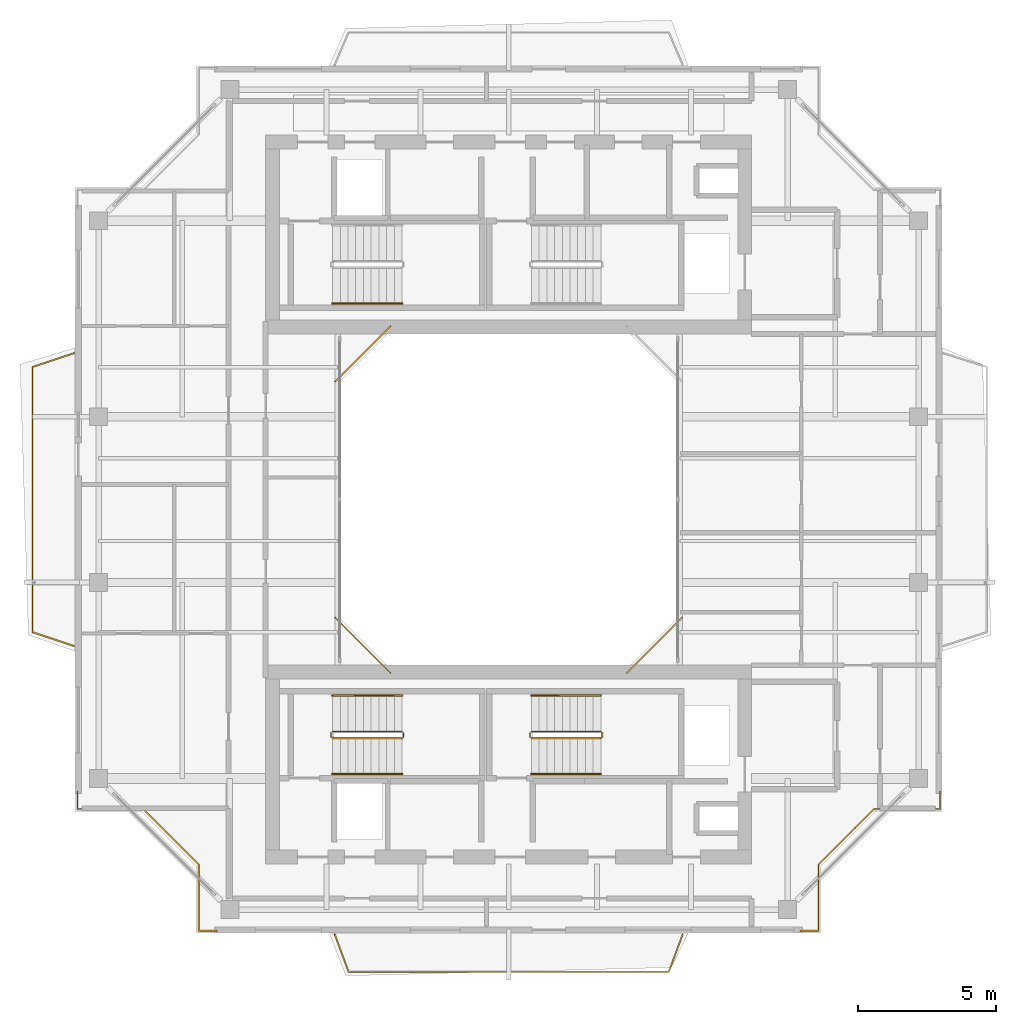
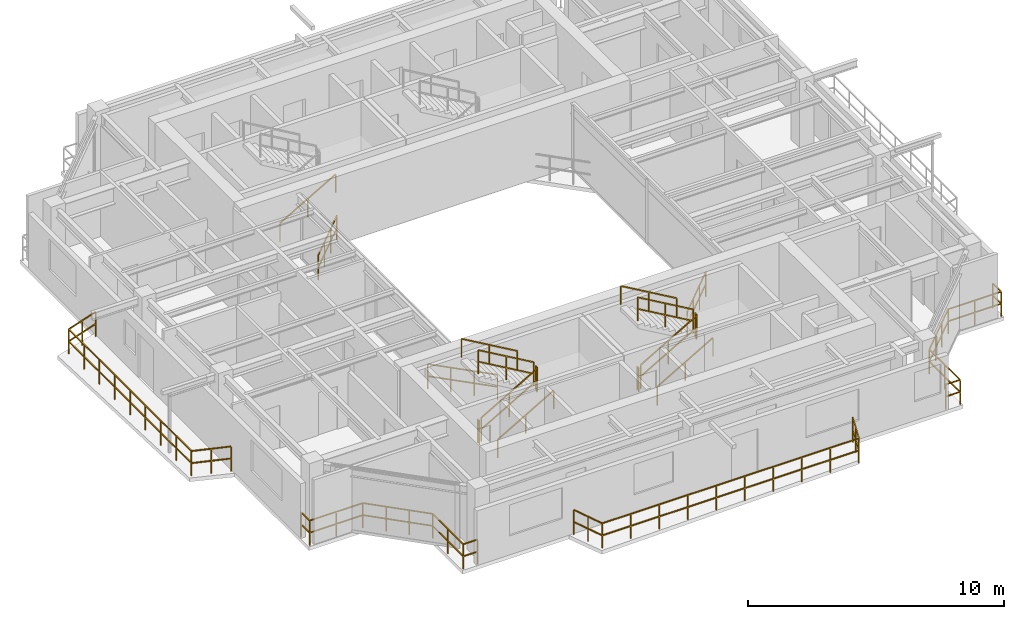
# One storey, part 13 of 14: 20 railings.
"""IFC4 building model written with IfcOpenShell, lengths in metres."""

from ifc_helpers import new_model, si_unit, direction, frame, origin, origin_2d, place, context, subcontext, project, spatial, rectangle, extrude, material, type_object, element, save


model = new_model("IFC4")

# Units and contexts
model_context = context("Model", 3, precision=1e-05, world=origin(), true_north=direction((0.0, 1.0)))
body_context = subcontext(model_context, "Body", "Model", "MODEL_VIEW")
ifc_project = project(units=[si_unit("LENGTHUNIT", "METRE"), si_unit("AREAUNIT", "SQUARE_METRE"), si_unit("VOLUMEUNIT", "CUBIC_METRE"), si_unit("PLANEANGLEUNIT", "RADIAN"), si_unit("MASSUNIT", "GRAM", prefix="KILO"), si_unit("THERMODYNAMICTEMPERATUREUNIT", "KELVIN"), si_unit("POWERUNIT", "WATT")], contexts=[model_context])

# Site, building, storey
site_placement = place(None, origin())
site = spatial("IfcSite", under=ifc_project, at=site_placement, CompositionType="ELEMENT")
building_placement = place(site_placement, origin())
building = spatial("IfcBuilding", under=site, at=building_placement, Name="Qiaomeng Ring Towers", CompositionType="ELEMENT")
storey_placement = place(building_placement, frame((0.0, 0.0, 247.0)))
storey = spatial("IfcBuildingStorey", under=building, at=storey_placement, Name="L72", CompositionType="ELEMENT", Elevation=247.0)

# Railings
ifc_material_1 = material(Name="Low-E pale-green laminated safety glass", Category="glass")
railing_type_1 = type_object("IfcRailingType", Name="ARC-RL-BAL1", PredefinedType="BALUSTRADE", material=ifc_material_1)
railing_1_placement = place(storey_placement, frame((23.280029296875, 16.719970703125, 0.0)))
element("IfcRailing", 1, at=railing_1_placement, inside=storey, type_object=railing_type_1, Name="L72 Balustrade ARC-BAL-WELL1-L72-1", PredefinedType="BALUSTRADE", context=body_context, shape_type="SweptSolid", body=[
    extrude(rectangle(XDim=0.048095703125, YDim=0.048095703125, at=origin_2d()), frame((0.0, 0.0, 1.17578125), z_axis=(0.707106781187, 0.707106781187, 0.0), x_axis=(-0.707106781187, 0.707106781187, 0.0)), (0.0, 0.0, 1.0), 2.828369140625),
    extrude(rectangle(XDim=0.048095703125, YDim=0.048095703125, at=origin_2d()), frame((0.0, 0.0, 0.60009765625), z_axis=(0.707106781187, 0.707106781187, 0.0), x_axis=(-0.707106781187, 0.707106781187, 0.0)), (0.0, 0.0, 1.0), 2.828369140625),
    extrude(rectangle(XDim=0.0419921875, YDim=0.0419921875, at=origin_2d()), origin(), (0.0, 0.0, 1.0), 1.15185546875),
    extrude(rectangle(XDim=0.0419921875, YDim=0.0419921875, at=origin_2d()), frame((0.666748046875, 0.666748046875, 0.0)), (0.0, 0.0, 1.0), 1.15185546875),
    extrude(rectangle(XDim=0.0419921875, YDim=0.0419921875, at=origin_2d()), frame((1.333251953125, 1.333251953125, 0.0)), (0.0, 0.0, 1.0), 1.15185546875),
    extrude(rectangle(XDim=0.0419921875, YDim=0.0419921875, at=origin_2d()), frame((2.0, 2.0, 0.0)), (0.0, 0.0, 1.0), 1.15185546875),
])
railing_2_placement = place(storey_placement, frame((14.719970703125, 29.280029296875, 0.0)))
element("IfcRailing", 2, at=railing_2_placement, inside=storey, type_object=railing_type_1, Name="L72 Balustrade ARC-BAL-WELL1-L72-3", PredefinedType="BALUSTRADE", context=body_context, shape_type="SweptSolid", body=[
    extrude(rectangle(XDim=0.048095703125, YDim=0.048095703125, at=origin_2d()), frame((0.0, 0.0, 1.17578125), z_axis=(-0.707106781187, -0.707106781187, 0.0), x_axis=(0.707106781187, -0.707106781187, 0.0)), (0.0, 0.0, 1.0), 2.828369140625),
    extrude(rectangle(XDim=0.048095703125, YDim=0.048095703125, at=origin_2d()), frame((0.0, 0.0, 0.60009765625), z_axis=(-0.707106781187, -0.707106781187, 0.0), x_axis=(0.707106781187, -0.707106781187, 0.0)), (0.0, 0.0, 1.0), 2.828369140625),
    extrude(rectangle(XDim=0.0419921875, YDim=0.0419921875, at=origin_2d()), origin(), (0.0, 0.0, 1.0), 1.15185546875),
    extrude(rectangle(XDim=0.0419921875, YDim=0.0419921875, at=origin_2d()), frame((-0.666748046875, -0.666748046875, 0.0)), (0.0, 0.0, 1.0), 1.15185546875),
    extrude(rectangle(XDim=0.0419921875, YDim=0.0419921875, at=origin_2d()), frame((-1.333251953125, -1.333251953125, 0.0)), (0.0, 0.0, 1.0), 1.15185546875),
    extrude(rectangle(XDim=0.0419921875, YDim=0.0419921875, at=origin_2d()), frame((-2.0, -2.0, 0.0)), (0.0, 0.0, 1.0), 1.15185546875),
])
railing_3_placement = place(storey_placement, frame((12.719970703125, 18.719970703125, 0.0)))
element("IfcRailing", 3, at=railing_3_placement, inside=storey, type_object=railing_type_1, Name="L72 Balustrade ARC-BAL-WELL1-L72-4", PredefinedType="BALUSTRADE", context=body_context, shape_type="SweptSolid", body=[
    extrude(rectangle(XDim=0.048095703125, YDim=0.048095703125, at=origin_2d()), frame((0.0, 0.0, 1.17578125), z_axis=(0.707106781187, -0.707106781187, 0.0), x_axis=(0.707106781187, 0.707106781187, 0.0)), (0.0, 0.0, 1.0), 2.828369140625),
    extrude(rectangle(XDim=0.048095703125, YDim=0.048095703125, at=origin_2d()), frame((0.0, 0.0, 0.60009765625), z_axis=(0.707106781187, -0.707106781187, 0.0), x_axis=(0.707106781187, 0.707106781187, 0.0)), (0.0, 0.0, 1.0), 2.828369140625),
    extrude(rectangle(XDim=0.0419921875, YDim=0.0419921875, at=origin_2d()), origin(), (0.0, 0.0, 1.0), 1.15185546875),
    extrude(rectangle(XDim=0.0419921875, YDim=0.0419921875, at=origin_2d()), frame((0.666748046875, -0.666748046875, 0.0)), (0.0, 0.0, 1.0), 1.15185546875),
    extrude(rectangle(XDim=0.0419921875, YDim=0.0419921875, at=origin_2d()), frame((1.333251953125, -1.333251953125, 0.0)), (0.0, 0.0, 1.0), 1.15185546875),
    extrude(rectangle(XDim=0.0419921875, YDim=0.0419921875, at=origin_2d()), frame((2.0, -2.0, 0.0)), (0.0, 0.0, 1.0), 1.15185546875),
])
railing_4_placement = place(storey_placement, frame((29.570068359375, 7.3798828125, 0.0)))
element("IfcRailing", 4, at=railing_4_placement, inside=storey, type_object=railing_type_1, Name="L72 Balustrade ARC-BAL-NOTCH1-L72-SE", PredefinedType="BALUSTRADE", context=body_context, shape_type="SweptSolid", body=[
    extrude(rectangle(XDim=0.048095703125, YDim=0.048095703125, at=origin_2d()), frame((0.0, 0.0, 1.17578125), z_axis=(1.0, 0.0, 0.0), x_axis=(0.0, 1.0, 0.0)), (0.0, 0.0, 1.0), 0.64990234375),
    extrude(rectangle(XDim=0.048095703125, YDim=0.048095703125, at=origin_2d()), frame((0.0, 0.0, 0.60009765625), z_axis=(1.0, 0.0, 0.0), x_axis=(0.0, 1.0, 0.0)), (0.0, 0.0, 1.0), 0.64990234375),
    extrude(rectangle(XDim=0.048095703125, YDim=0.048095703125, at=origin_2d()), frame((0.64990234375, 0.0, 1.17578125), z_axis=(0.0, 1.0, 0.0), x_axis=(-1.0, 0.0, 0.0)), (0.0, 0.0, 1.0), 2.400146484375),
    extrude(rectangle(XDim=0.048095703125, YDim=0.048095703125, at=origin_2d()), frame((0.64990234375, 0.0, 0.60009765625), z_axis=(0.0, 1.0, 0.0), x_axis=(-1.0, 0.0, 0.0)), (0.0, 0.0, 1.0), 2.400146484375),
    extrude(rectangle(XDim=0.048095703125, YDim=0.048095703125, at=origin_2d()), frame((0.64990234375, 2.400146484375, 1.17578125), z_axis=(0.707106781187, 0.707106781187, 0.0), x_axis=(-0.707106781187, 0.707106781187, 0.0)), (0.0, 0.0, 1.0), 2.828369140625),
    extrude(rectangle(XDim=0.048095703125, YDim=0.048095703125, at=origin_2d()), frame((0.64990234375, 2.400146484375, 0.60009765625), z_axis=(0.707106781187, 0.707106781187, 0.0), x_axis=(-0.707106781187, 0.707106781187, 0.0)), (0.0, 0.0, 1.0), 2.828369140625),
    extrude(rectangle(XDim=0.048095703125, YDim=0.048095703125, at=origin_2d()), frame((2.64990234375, 4.400146484375, 1.17578125), z_axis=(1.0, 0.0, 0.0), x_axis=(0.0, 1.0, 0.0)), (0.0, 0.0, 1.0), 2.400146484375),
    extrude(rectangle(XDim=0.048095703125, YDim=0.048095703125, at=origin_2d()), frame((2.64990234375, 4.400146484375, 0.60009765625), z_axis=(1.0, 0.0, 0.0), x_axis=(0.0, 1.0, 0.0)), (0.0, 0.0, 1.0), 2.400146484375),
    extrude(rectangle(XDim=0.048095703125, YDim=0.048095703125, at=origin_2d()), frame((5.050048828125, 4.400146484375, 1.17578125), z_axis=(0.0, 1.0, 0.0), x_axis=(-1.0, 0.0, 0.0)), (0.0, 0.0, 1.0), 0.64990234375),
    extrude(rectangle(XDim=0.048095703125, YDim=0.048095703125, at=origin_2d()), frame((5.050048828125, 4.400146484375, 0.60009765625), z_axis=(0.0, 1.0, 0.0), x_axis=(-1.0, 0.0, 0.0)), (0.0, 0.0, 1.0), 0.64990234375),
    extrude(rectangle(XDim=0.0419921875, YDim=0.0419921875, at=origin_2d()), origin(), (0.0, 0.0, 1.0), 1.15185546875),
    extrude(rectangle(XDim=0.0419921875, YDim=0.0419921875, at=origin_2d()), frame((0.64990234375, 0.0, 0.0)), (0.0, 0.0, 1.0), 1.15185546875),
    extrude(rectangle(XDim=0.0419921875, YDim=0.0419921875, at=origin_2d()), frame((0.64990234375, 1.2001953125, 0.0)), (0.0, 0.0, 1.0), 1.15185546875),
    extrude(rectangle(XDim=0.0419921875, YDim=0.0419921875, at=origin_2d()), frame((0.64990234375, 2.400146484375, 0.0)), (0.0, 0.0, 1.0), 1.15185546875),
    extrude(rectangle(XDim=0.0419921875, YDim=0.0419921875, at=origin_2d()), frame((1.316650390625, 3.06689453125, 0.0)), (0.0, 0.0, 1.0), 1.15185546875),
    extrude(rectangle(XDim=0.0419921875, YDim=0.0419921875, at=origin_2d()), frame((1.983154296875, 3.7333984375, 0.0)), (0.0, 0.0, 1.0), 1.15185546875),
    extrude(rectangle(XDim=0.0419921875, YDim=0.0419921875, at=origin_2d()), frame((2.64990234375, 4.400146484375, 0.0)), (0.0, 0.0, 1.0), 1.15185546875),
    extrude(rectangle(XDim=0.0419921875, YDim=0.0419921875, at=origin_2d()), frame((3.85009765625, 4.400146484375, 0.0)), (0.0, 0.0, 1.0), 1.15185546875),
    extrude(rectangle(XDim=0.0419921875, YDim=0.0419921875, at=origin_2d()), frame((5.050048828125, 4.400146484375, 0.0)), (0.0, 0.0, 1.0), 1.15185546875),
    extrude(rectangle(XDim=0.0419921875, YDim=0.0419921875, at=origin_2d()), frame((5.050048828125, 5.050048828125, 0.0)), (0.0, 0.0, 1.0), 1.15185546875),
])
railing_5_placement = place(storey_placement, frame((3.3798828125, 12.429931640625, 0.0)))
element("IfcRailing", 5, at=railing_5_placement, inside=storey, type_object=railing_type_1, Name="L72 Balustrade ARC-BAL-NOTCH1-L72-SW", PredefinedType="BALUSTRADE", context=body_context, shape_type="SweptSolid", body=[
    extrude(rectangle(XDim=0.048095703125, YDim=0.048095703125, at=origin_2d()), frame((0.0, 0.0, 1.17578125), z_axis=(0.0, -1.0, 0.0), x_axis=(1.0, 0.0, 0.0)), (0.0, 0.0, 1.0), 0.64990234375),
    extrude(rectangle(XDim=0.048095703125, YDim=0.048095703125, at=origin_2d()), frame((0.0, 0.0, 0.60009765625), z_axis=(0.0, -1.0, 0.0), x_axis=(1.0, 0.0, 0.0)), (0.0, 0.0, 1.0), 0.64990234375),
    extrude(rectangle(XDim=0.048095703125, YDim=0.048095703125, at=origin_2d()), frame((0.0, -0.64990234375, 1.17578125), z_axis=(1.0, 0.0, 0.0), x_axis=(0.0, 1.0, 0.0)), (0.0, 0.0, 1.0), 2.400146484375),
    extrude(rectangle(XDim=0.048095703125, YDim=0.048095703125, at=origin_2d()), frame((0.0, -0.64990234375, 0.60009765625), z_axis=(1.0, 0.0, 0.0), x_axis=(0.0, 1.0, 0.0)), (0.0, 0.0, 1.0), 2.400146484375),
    extrude(rectangle(XDim=0.048095703125, YDim=0.048095703125, at=origin_2d()), frame((2.400146484375, -0.64990234375, 1.17578125), z_axis=(0.707106781187, -0.707106781187, 0.0), x_axis=(0.707106781187, 0.707106781187, 0.0)), (0.0, 0.0, 1.0), 2.828369140625),
    extrude(rectangle(XDim=0.048095703125, YDim=0.048095703125, at=origin_2d()), frame((2.400146484375, -0.64990234375, 0.60009765625), z_axis=(0.707106781187, -0.707106781187, 0.0), x_axis=(0.707106781187, 0.707106781187, 0.0)), (0.0, 0.0, 1.0), 2.828369140625),
    extrude(rectangle(XDim=0.048095703125, YDim=0.048095703125, at=origin_2d()), frame((4.400146484375, -2.64990234375, 1.17578125), z_axis=(0.0, -1.0, 0.0), x_axis=(1.0, 0.0, 0.0)), (0.0, 0.0, 1.0), 2.400146484375),
    extrude(rectangle(XDim=0.048095703125, YDim=0.048095703125, at=origin_2d()), frame((4.400146484375, -2.64990234375, 0.60009765625), z_axis=(0.0, -1.0, 0.0), x_axis=(1.0, 0.0, 0.0)), (0.0, 0.0, 1.0), 2.400146484375),
    extrude(rectangle(XDim=0.048095703125, YDim=0.048095703125, at=origin_2d()), frame((4.400146484375, -5.050048828125, 1.17578125), z_axis=(1.0, 0.0, 0.0), x_axis=(0.0, 1.0, 0.0)), (0.0, 0.0, 1.0), 0.64990234375),
    extrude(rectangle(XDim=0.048095703125, YDim=0.048095703125, at=origin_2d()), frame((4.400146484375, -5.050048828125, 0.60009765625), z_axis=(1.0, 0.0, 0.0), x_axis=(0.0, 1.0, 0.0)), (0.0, 0.0, 1.0), 0.64990234375),
    extrude(rectangle(XDim=0.0419921875, YDim=0.0419921875, at=origin_2d()), origin(), (0.0, 0.0, 1.0), 1.15185546875),
    extrude(rectangle(XDim=0.0419921875, YDim=0.0419921875, at=origin_2d()), frame((0.0, -0.64990234375, 0.0)), (0.0, 0.0, 1.0), 1.15185546875),
    extrude(rectangle(XDim=0.0419921875, YDim=0.0419921875, at=origin_2d()), frame((1.2001953125, -0.64990234375, 0.0)), (0.0, 0.0, 1.0), 1.15185546875),
    extrude(rectangle(XDim=0.0419921875, YDim=0.0419921875, at=origin_2d()), frame((2.400146484375, -0.64990234375, 0.0)), (0.0, 0.0, 1.0), 1.15185546875),
    extrude(rectangle(XDim=0.0419921875, YDim=0.0419921875, at=origin_2d()), frame((3.06689453125, -1.316650390625, 0.0)), (0.0, 0.0, 1.0), 1.15185546875),
    extrude(rectangle(XDim=0.0419921875, YDim=0.0419921875, at=origin_2d()), frame((3.7333984375, -1.983154296875, 0.0)), (0.0, 0.0, 1.0), 1.15185546875),
    extrude(rectangle(XDim=0.0419921875, YDim=0.0419921875, at=origin_2d()), frame((4.400146484375, -2.64990234375, 0.0)), (0.0, 0.0, 1.0), 1.15185546875),
    extrude(rectangle(XDim=0.0419921875, YDim=0.0419921875, at=origin_2d()), frame((4.400146484375, -3.85009765625, 0.0)), (0.0, 0.0, 1.0), 1.15185546875),
    extrude(rectangle(XDim=0.0419921875, YDim=0.0419921875, at=origin_2d()), frame((4.400146484375, -5.050048828125, 0.0)), (0.0, 0.0, 1.0), 1.15185546875),
    extrude(rectangle(XDim=0.0419921875, YDim=0.0419921875, at=origin_2d()), frame((5.050048828125, -5.050048828125, 0.0)), (0.0, 0.0, 1.0), 1.15185546875),
])
railing_6_placement = place(storey_placement, frame((12.699951171875, 7.25, 0.0)))
element("IfcRailing", 6, at=railing_6_placement, inside=storey, type_object=railing_type_1, Name="L72 Balustrade ARC-BAL-L72-T1-S", PredefinedType="BALUSTRADE", context=body_context, shape_type="SweptSolid", body=[
    extrude(rectangle(XDim=0.048095703125, YDim=0.048095703125, at=origin_2d()), frame((0.0, 0.0, 1.17578125), z_axis=(0.34729226376, -0.937756942673, 0.0), x_axis=(0.937756942673, 0.34729226376, 0.0)), (0.0, 0.0, 1.0), 1.439697265625),
    extrude(rectangle(XDim=0.048095703125, YDim=0.048095703125, at=origin_2d()), frame((0.0, 0.0, 0.60009765625), z_axis=(0.34729226376, -0.937756942673, 0.0), x_axis=(0.937756942673, 0.34729226376, 0.0)), (0.0, 0.0, 1.0), 1.439697265625),
    extrude(rectangle(XDim=0.048095703125, YDim=0.048095703125, at=origin_2d()), frame((0.5, -1.35009765625, 1.17578125), z_axis=(1.0, 0.0, 0.0), x_axis=(0.0, 1.0, 0.0)), (0.0, 0.0, 1.0), 11.60009765625),
    extrude(rectangle(XDim=0.048095703125, YDim=0.048095703125, at=origin_2d()), frame((0.5, -1.35009765625, 0.60009765625), z_axis=(1.0, 0.0, 0.0), x_axis=(0.0, 1.0, 0.0)), (0.0, 0.0, 1.0), 11.60009765625),
    extrude(rectangle(XDim=0.048095703125, YDim=0.048095703125, at=origin_2d()), frame((12.10009765625, -1.35009765625, 1.17578125), z_axis=(0.34729226376, 0.937756942673, 0.0), x_axis=(-0.937756942673, 0.34729226376, 0.0)), (0.0, 0.0, 1.0), 1.439697265625),
    extrude(rectangle(XDim=0.048095703125, YDim=0.048095703125, at=origin_2d()), frame((12.10009765625, -1.35009765625, 0.60009765625), z_axis=(0.34729226376, 0.937756942673, 0.0), x_axis=(-0.937756942673, 0.34729226376, 0.0)), (0.0, 0.0, 1.0), 1.439697265625),
    extrude(rectangle(XDim=0.0419921875, YDim=0.0419921875, at=origin_2d()), origin(), (0.0, 0.0, 1.0), 1.15185546875),
    extrude(rectangle(XDim=0.0419921875, YDim=0.0419921875, at=origin_2d()), frame((0.25, -0.675048828125, 0.0)), (0.0, 0.0, 1.0), 1.15185546875),
    extrude(rectangle(XDim=0.0419921875, YDim=0.0419921875, at=origin_2d()), frame((0.5, -1.35009765625, 0.0)), (0.0, 0.0, 1.0), 1.15185546875),
    extrude(rectangle(XDim=0.0419921875, YDim=0.0419921875, at=origin_2d()), frame((1.788818359375, -1.35009765625, 0.0)), (0.0, 0.0, 1.0), 1.15185546875),
    extrude(rectangle(XDim=0.0419921875, YDim=0.0419921875, at=origin_2d()), frame((3.077880859375, -1.35009765625, 0.0)), (0.0, 0.0, 1.0), 1.15185546875),
    extrude(rectangle(XDim=0.0419921875, YDim=0.0419921875, at=origin_2d()), frame((4.36669921875, -1.35009765625, 0.0)), (0.0, 0.0, 1.0), 1.15185546875),
    extrude(rectangle(XDim=0.0419921875, YDim=0.0419921875, at=origin_2d()), frame((5.655517578125, -1.35009765625, 0.0)), (0.0, 0.0, 1.0), 1.15185546875),
    extrude(rectangle(XDim=0.0419921875, YDim=0.0419921875, at=origin_2d()), frame((6.944580078125, -1.35009765625, 0.0)), (0.0, 0.0, 1.0), 1.15185546875),
    extrude(rectangle(XDim=0.0419921875, YDim=0.0419921875, at=origin_2d()), frame((8.2333984375, -1.35009765625, 0.0)), (0.0, 0.0, 1.0), 1.15185546875),
    extrude(rectangle(XDim=0.0419921875, YDim=0.0419921875, at=origin_2d()), frame((9.522216796875, -1.35009765625, 0.0)), (0.0, 0.0, 1.0), 1.15185546875),
    extrude(rectangle(XDim=0.0419921875, YDim=0.0419921875, at=origin_2d()), frame((10.811279296875, -1.35009765625, 0.0)), (0.0, 0.0, 1.0), 1.15185546875),
    extrude(rectangle(XDim=0.0419921875, YDim=0.0419921875, at=origin_2d()), frame((12.10009765625, -1.35009765625, 0.0)), (0.0, 0.0, 1.0), 1.15185546875),
    extrude(rectangle(XDim=0.0419921875, YDim=0.0419921875, at=origin_2d()), frame((12.35009765625, -0.675048828125, 0.0)), (0.0, 0.0, 1.0), 1.15185546875),
    extrude(rectangle(XDim=0.0419921875, YDim=0.0419921875, at=origin_2d()), frame((12.60009765625, 0.0, 0.0)), (0.0, 0.0, 1.0), 1.15185546875),
])
railing_7_placement = place(storey_placement, frame((3.25, 17.699951171875, 0.0)))
element("IfcRailing", 7, at=railing_7_placement, inside=storey, type_object=railing_type_1, Name="L72 Balustrade ARC-BAL-L72-T1-W", PredefinedType="BALUSTRADE", context=body_context, shape_type="SweptSolid", body=[
    extrude(rectangle(XDim=0.048095703125, YDim=0.048095703125, at=origin_2d()), frame((0.0, 0.0, 1.17578125), z_axis=(-0.948683298051, 0.316227766017, 0.0), x_axis=(-0.316227766017, -0.948683298051, 0.0)), (0.0, 0.0, 1.0), 1.5810546875),
    extrude(rectangle(XDim=0.048095703125, YDim=0.048095703125, at=origin_2d()), frame((0.0, 0.0, 0.60009765625), z_axis=(-0.948683298051, 0.316227766017, 0.0), x_axis=(-0.316227766017, -0.948683298051, 0.0)), (0.0, 0.0, 1.0), 1.5810546875),
    extrude(rectangle(XDim=0.048095703125, YDim=0.048095703125, at=origin_2d()), frame((-1.5, 0.5, 1.17578125), z_axis=(0.0, 1.0, 0.0), x_axis=(-1.0, 0.0, 0.0)), (0.0, 0.0, 1.0), 9.60009765625),
    extrude(rectangle(XDim=0.048095703125, YDim=0.048095703125, at=origin_2d()), frame((-1.5, 0.5, 0.60009765625), z_axis=(0.0, 1.0, 0.0), x_axis=(-1.0, 0.0, 0.0)), (0.0, 0.0, 1.0), 9.60009765625),
    extrude(rectangle(XDim=0.048095703125, YDim=0.048095703125, at=origin_2d()), frame((-1.5, 10.10009765625, 1.17578125), z_axis=(0.948683298051, 0.316227766017, 0.0), x_axis=(-0.316227766017, 0.948683298051, 0.0)), (0.0, 0.0, 1.0), 1.5810546875),
    extrude(rectangle(XDim=0.048095703125, YDim=0.048095703125, at=origin_2d()), frame((-1.5, 10.10009765625, 0.60009765625), z_axis=(0.948683298051, 0.316227766017, 0.0), x_axis=(-0.316227766017, 0.948683298051, 0.0)), (0.0, 0.0, 1.0), 1.5810546875),
    extrude(rectangle(XDim=0.0419921875, YDim=0.0419921875, at=origin_2d()), origin(), (0.0, 0.0, 1.0), 1.15185546875),
    extrude(rectangle(XDim=0.0419921875, YDim=0.0419921875, at=origin_2d()), frame((-0.75, 0.25, 0.0)), (0.0, 0.0, 1.0), 1.15185546875),
    extrude(rectangle(XDim=0.0419921875, YDim=0.0419921875, at=origin_2d()), frame((-1.5, 0.5, 0.0)), (0.0, 0.0, 1.0), 1.15185546875),
    extrude(rectangle(XDim=0.0419921875, YDim=0.0419921875, at=origin_2d()), frame((-1.5, 1.699951171875, 0.0)), (0.0, 0.0, 1.0), 1.15185546875),
    extrude(rectangle(XDim=0.0419921875, YDim=0.0419921875, at=origin_2d()), frame((-1.5, 2.89990234375, 0.0)), (0.0, 0.0, 1.0), 1.15185546875),
    extrude(rectangle(XDim=0.0419921875, YDim=0.0419921875, at=origin_2d()), frame((-1.5, 4.10009765625, 0.0)), (0.0, 0.0, 1.0), 1.15185546875),
    extrude(rectangle(XDim=0.0419921875, YDim=0.0419921875, at=origin_2d()), frame((-1.5, 5.300048828125, 0.0)), (0.0, 0.0, 1.0), 1.15185546875),
    extrude(rectangle(XDim=0.0419921875, YDim=0.0419921875, at=origin_2d()), frame((-1.5, 6.5, 0.0)), (0.0, 0.0, 1.0), 1.15185546875),
    extrude(rectangle(XDim=0.0419921875, YDim=0.0419921875, at=origin_2d()), frame((-1.5, 7.7001953125, 0.0)), (0.0, 0.0, 1.0), 1.15185546875),
    extrude(rectangle(XDim=0.0419921875, YDim=0.0419921875, at=origin_2d()), frame((-1.5, 8.900146484375, 0.0)), (0.0, 0.0, 1.0), 1.15185546875),
    extrude(rectangle(XDim=0.0419921875, YDim=0.0419921875, at=origin_2d()), frame((-1.5, 10.10009765625, 0.0)), (0.0, 0.0, 1.0), 1.15185546875),
    extrude(rectangle(XDim=0.0419921875, YDim=0.0419921875, at=origin_2d()), frame((-0.75, 10.35009765625, 0.0)), (0.0, 0.0, 1.0), 1.15185546875),
    extrude(rectangle(XDim=0.0419921875, YDim=0.0419921875, at=origin_2d()), frame((0.0, 10.60009765625, 0.0)), (0.0, 0.0, 1.0), 1.15185546875),
])
ifc_material_2 = material(Name="Galvanised steel", Category="steel")
railing_type_2 = type_object("IfcRailingType", Name="ARC-RL-GUARD", PredefinedType="GUARDRAIL", material=ifc_material_2)
railing_8_placement = place(storey_placement, frame((12.6201171875, 14.360107421875, 0.16259765625)))
element("IfcRailing", 8, at=railing_8_placement, inside=storey, type_object=railing_type_2, Name="L72 ST3 stair guard 1", PredefinedType="GUARDRAIL", context=body_context, shape_type="SweptSolid", body=[
    extrude(rectangle(XDim=0.048095703125, YDim=0.048095703125, at=origin_2d()), frame((0.0, 0.0, 1.1259765625), z_axis=(0.864892226395, 0.0, 0.501957604506), x_axis=(0.0, 1.0, 0.0)), (0.0, 0.0, 1.0), 2.913330078125),
    extrude(rectangle(XDim=0.048095703125, YDim=0.048095703125, at=origin_2d()), frame((0.0, 0.0, 0.574951171875), z_axis=(0.864892226395, 0.0, 0.501957604506), x_axis=(0.0, 1.0, 0.0)), (0.0, 0.0, 1.0), 2.913330078125),
    extrude(rectangle(XDim=0.0419921875, YDim=0.0419921875, at=origin_2d()), origin(), (0.0, 0.0, 1.0), 1.101806640625),
    extrude(rectangle(XDim=0.0419921875, YDim=0.0419921875, at=origin_2d()), frame((1.259765625, 0.0, 0.731201171875)), (0.0, 0.0, 1.0), 1.101806640625),
    extrude(rectangle(XDim=0.0419921875, YDim=0.0419921875, at=origin_2d()), frame((2.519775390625, 0.0, 1.46240234375)), (0.0, 0.0, 1.0), 1.101806640625),
])
railing_9_placement = place(storey_placement, frame((15.18994140625, 14.409912109375, 1.625)))
element("IfcRailing", 9, at=railing_9_placement, inside=storey, type_object=railing_type_2, Name="L72 ST3 stair guard 2", PredefinedType="GUARDRAIL", context=body_context, shape_type="SweptSolid", body=[
    extrude(rectangle(XDim=0.048095703125, YDim=0.048095703125, at=origin_2d()), frame((0.0, 0.0, 1.1259765625), z_axis=(0.0, 1.0, 0.0), x_axis=(-1.0, 0.0, 0.0)), (0.0, 0.0, 1.0), 0.14013671875),
    extrude(rectangle(XDim=0.048095703125, YDim=0.048095703125, at=origin_2d()), frame((0.0, 0.0, 0.574951171875), z_axis=(0.0, 1.0, 0.0), x_axis=(-1.0, 0.0, 0.0)), (0.0, 0.0, 1.0), 0.14013671875),
    extrude(rectangle(XDim=0.0419921875, YDim=0.0419921875, at=origin_2d()), origin(), (0.0, 0.0, 1.0), 1.101806640625),
    extrude(rectangle(XDim=0.0419921875, YDim=0.0419921875, at=origin_2d()), frame((0.0, 0.14013671875, 0.0)), (0.0, 0.0, 1.0), 1.101806640625),
])
railing_10_placement = place(storey_placement, frame((15.139892578125, 14.60009765625, 1.78759765625)))
element("IfcRailing", 10, at=railing_10_placement, inside=storey, type_object=railing_type_2, Name="L72 ST3 stair guard 3", PredefinedType="GUARDRAIL", context=body_context, shape_type="SweptSolid", body=[
    extrude(rectangle(XDim=0.048095703125, YDim=0.048095703125, at=origin_2d()), frame((0.0, 0.0, 1.1259765625), z_axis=(-0.864892226395, 0.0, 0.501957604506), x_axis=(0.0, -1.0, 0.0)), (0.0, 0.0, 1.0), 2.913330078125),
    extrude(rectangle(XDim=0.048095703125, YDim=0.048095703125, at=origin_2d()), frame((0.0, 0.0, 0.574951171875), z_axis=(-0.864892226395, 0.0, 0.501957604506), x_axis=(0.0, -1.0, 0.0)), (0.0, 0.0, 1.0), 2.913330078125),
    extrude(rectangle(XDim=0.0419921875, YDim=0.0419921875, at=origin_2d()), origin(), (0.0, 0.0, 1.0), 1.101806640625),
    extrude(rectangle(XDim=0.0419921875, YDim=0.0419921875, at=origin_2d()), frame((-1.259765625, 0.0, 0.731201171875)), (0.0, 0.0, 1.0), 1.101806640625),
    extrude(rectangle(XDim=0.0419921875, YDim=0.0419921875, at=origin_2d()), frame((-2.519775390625, 0.0, 1.46240234375)), (0.0, 0.0, 1.0), 1.101806640625),
])
railing_11_placement = place(storey_placement, frame((12.570068359375, 14.409912109375, 0.0)))
element("IfcRailing", 11, at=railing_11_placement, inside=storey, type_object=railing_type_2, Name="L72 ST3 stair guard 4", PredefinedType="GUARDRAIL", context=body_context, shape_type="SweptSolid", body=[
    extrude(rectangle(XDim=0.048095703125, YDim=0.048095703125, at=origin_2d()), frame((0.0, 0.0, 1.1259765625), z_axis=(0.0, 1.0, 0.0), x_axis=(-1.0, 0.0, 0.0)), (0.0, 0.0, 1.0), 0.14013671875),
    extrude(rectangle(XDim=0.048095703125, YDim=0.048095703125, at=origin_2d()), frame((0.0, 0.0, 0.574951171875), z_axis=(0.0, 1.0, 0.0), x_axis=(-1.0, 0.0, 0.0)), (0.0, 0.0, 1.0), 0.14013671875),
    extrude(rectangle(XDim=0.0419921875, YDim=0.0419921875, at=origin_2d()), origin(), (0.0, 0.0, 1.0), 1.101806640625),
    extrude(rectangle(XDim=0.0419921875, YDim=0.0419921875, at=origin_2d()), frame((0.0, 0.14013671875, 0.0)), (0.0, 0.0, 1.0), 1.101806640625),
])
railing_12_placement = place(storey_placement, frame((19.820068359375, 14.360107421875, 0.16259765625)))
element("IfcRailing", 12, at=railing_12_placement, inside=storey, type_object=railing_type_2, Name="L72 ST4 stair guard 1", PredefinedType="GUARDRAIL", context=body_context, shape_type="SweptSolid", body=[
    extrude(rectangle(XDim=0.048095703125, YDim=0.048095703125, at=origin_2d()), frame((0.0, 0.0, 1.1259765625), z_axis=(0.864913338283, 0.0, 0.50192122615), x_axis=(0.0, 1.0, 0.0)), (0.0, 0.0, 1.0), 2.91357421875),
    extrude(rectangle(XDim=0.048095703125, YDim=0.048095703125, at=origin_2d()), frame((0.0, 0.0, 0.574951171875), z_axis=(0.864913338283, 0.0, 0.50192122615), x_axis=(0.0, 1.0, 0.0)), (0.0, 0.0, 1.0), 2.91357421875),
    extrude(rectangle(XDim=0.0419921875, YDim=0.0419921875, at=origin_2d()), origin(), (0.0, 0.0, 1.0), 1.101806640625),
    extrude(rectangle(XDim=0.0419921875, YDim=0.0419921875, at=origin_2d()), frame((1.260009765625, 0.0, 0.731201171875)), (0.0, 0.0, 1.0), 1.101806640625),
    extrude(rectangle(XDim=0.0419921875, YDim=0.0419921875, at=origin_2d()), frame((2.52001953125, 0.0, 1.46240234375)), (0.0, 0.0, 1.0), 1.101806640625),
])
railing_13_placement = place(storey_placement, frame((22.389892578125, 14.409912109375, 1.625)))
element("IfcRailing", 13, at=railing_13_placement, inside=storey, type_object=railing_type_2, Name="L72 ST4 stair guard 2", PredefinedType="GUARDRAIL", context=body_context, shape_type="SweptSolid", body=[
    extrude(rectangle(XDim=0.048095703125, YDim=0.048095703125, at=origin_2d()), frame((0.0, 0.0, 1.1259765625), z_axis=(0.0, 1.0, 0.0), x_axis=(-1.0, 0.0, 0.0)), (0.0, 0.0, 1.0), 0.14013671875),
    extrude(rectangle(XDim=0.048095703125, YDim=0.048095703125, at=origin_2d()), frame((0.0, 0.0, 0.574951171875), z_axis=(0.0, 1.0, 0.0), x_axis=(-1.0, 0.0, 0.0)), (0.0, 0.0, 1.0), 0.14013671875),
    extrude(rectangle(XDim=0.0419921875, YDim=0.0419921875, at=origin_2d()), origin(), (0.0, 0.0, 1.0), 1.101806640625),
    extrude(rectangle(XDim=0.0419921875, YDim=0.0419921875, at=origin_2d()), frame((0.0, 0.14013671875, 0.0)), (0.0, 0.0, 1.0), 1.101806640625),
])
railing_14_placement = place(storey_placement, frame((22.340087890625, 14.60009765625, 1.78759765625)))
element("IfcRailing", 14, at=railing_14_placement, inside=storey, type_object=railing_type_2, Name="L72 ST4 stair guard 3", PredefinedType="GUARDRAIL", context=body_context, shape_type="SweptSolid", body=[
    extrude(rectangle(XDim=0.048095703125, YDim=0.048095703125, at=origin_2d()), frame((0.0, 0.0, 1.1259765625), z_axis=(-0.864913338283, 0.0, 0.50192122615), x_axis=(0.0, -1.0, 0.0)), (0.0, 0.0, 1.0), 2.91357421875),
    extrude(rectangle(XDim=0.048095703125, YDim=0.048095703125, at=origin_2d()), frame((0.0, 0.0, 0.574951171875), z_axis=(-0.864913338283, 0.0, 0.50192122615), x_axis=(0.0, -1.0, 0.0)), (0.0, 0.0, 1.0), 2.91357421875),
    extrude(rectangle(XDim=0.0419921875, YDim=0.0419921875, at=origin_2d()), origin(), (0.0, 0.0, 1.0), 1.101806640625),
    extrude(rectangle(XDim=0.0419921875, YDim=0.0419921875, at=origin_2d()), frame((-1.260009765625, 0.0, 0.731201171875)), (0.0, 0.0, 1.0), 1.101806640625),
    extrude(rectangle(XDim=0.0419921875, YDim=0.0419921875, at=origin_2d()), frame((-2.52001953125, 0.0, 1.46240234375)), (0.0, 0.0, 1.0), 1.101806640625),
])
railing_15_placement = place(storey_placement, frame((19.77001953125, 14.409912109375, 0.0)))
element("IfcRailing", 15, at=railing_15_placement, inside=storey, type_object=railing_type_2, Name="L72 ST4 stair guard 4", PredefinedType="GUARDRAIL", context=body_context, shape_type="SweptSolid", body=[
    extrude(rectangle(XDim=0.048095703125, YDim=0.048095703125, at=origin_2d()), frame((0.0, 0.0, 1.1259765625), z_axis=(0.0, 1.0, 0.0), x_axis=(-1.0, 0.0, 0.0)), (0.0, 0.0, 1.0), 0.14013671875),
    extrude(rectangle(XDim=0.048095703125, YDim=0.048095703125, at=origin_2d()), frame((0.0, 0.0, 0.574951171875), z_axis=(0.0, 1.0, 0.0), x_axis=(-1.0, 0.0, 0.0)), (0.0, 0.0, 1.0), 0.14013671875),
    extrude(rectangle(XDim=0.0419921875, YDim=0.0419921875, at=origin_2d()), origin(), (0.0, 0.0, 1.0), 1.101806640625),
    extrude(rectangle(XDim=0.0419921875, YDim=0.0419921875, at=origin_2d()), frame((0.0, 0.14013671875, 0.0)), (0.0, 0.0, 1.0), 1.101806640625),
])
ifc_material_3 = material(Name="Stainless steel 316", Category="steel")
railing_type_3 = type_object("IfcRailingType", Name="ARC-RL-HAND", PredefinedType="HANDRAIL", material=ifc_material_3)
for number, where, name in (
    (16, (12.6201171875, 30.10009765625, 0.16259765625), "L72 ST1 stair handrail 1"),
    (17, (12.6201171875, 13.06005859375, 0.16259765625), "L72 ST3 stair handrail 1"),
):
    element("IfcRailing", number, at=place(storey_placement, frame(where)), inside=storey, type_object=railing_type_3, Name=name, PredefinedType="HANDRAIL", context=body_context, shape_type="SweptSolid", body=[
        extrude(rectangle(XDim=0.048095703125, YDim=0.048095703125, at=origin_2d()), frame((0.0, 0.0, 0.8759765625), z_axis=(0.864892226395, 0.0, 0.501957604506), x_axis=(0.0, 1.0, 0.0)), (0.0, 0.0, 1.0), 2.913330078125),
        extrude(rectangle(XDim=0.0419921875, YDim=0.0419921875, at=origin_2d()), origin(), (0.0, 0.0, 1.0), 0.851806640625),
        extrude(rectangle(XDim=0.0419921875, YDim=0.0419921875, at=origin_2d()), frame((1.259765625, 0.0, 0.731201171875)), (0.0, 0.0, 1.0), 0.851806640625),
        extrude(rectangle(XDim=0.0419921875, YDim=0.0419921875, at=origin_2d()), frame((2.519775390625, 0.0, 1.46240234375)), (0.0, 0.0, 1.0), 0.851806640625),
    ])
railing_16_placement = place(storey_placement, frame((15.139892578125, 15.89990234375, 1.78759765625)))
element("IfcRailing", 18, at=railing_16_placement, inside=storey, type_object=railing_type_3, Name="L72 ST3 stair handrail 2", PredefinedType="HANDRAIL", context=body_context, shape_type="SweptSolid", body=[
    extrude(rectangle(XDim=0.048095703125, YDim=0.048095703125, at=origin_2d()), frame((0.0, 0.0, 0.8759765625), z_axis=(-0.864892226395, 0.0, 0.501957604506), x_axis=(0.0, -1.0, 0.0)), (0.0, 0.0, 1.0), 2.913330078125),
    extrude(rectangle(XDim=0.0419921875, YDim=0.0419921875, at=origin_2d()), origin(), (0.0, 0.0, 1.0), 0.851806640625),
    extrude(rectangle(XDim=0.0419921875, YDim=0.0419921875, at=origin_2d()), frame((-1.259765625, 0.0, 0.731201171875)), (0.0, 0.0, 1.0), 0.851806640625),
    extrude(rectangle(XDim=0.0419921875, YDim=0.0419921875, at=origin_2d()), frame((-2.519775390625, 0.0, 1.46240234375)), (0.0, 0.0, 1.0), 0.851806640625),
])
railing_17_placement = place(storey_placement, frame((19.820068359375, 13.06005859375, 0.16259765625)))
element("IfcRailing", 19, at=railing_17_placement, inside=storey, type_object=railing_type_3, Name="L72 ST4 stair handrail 1", PredefinedType="HANDRAIL", context=body_context, shape_type="SweptSolid", body=[
    extrude(rectangle(XDim=0.048095703125, YDim=0.048095703125, at=origin_2d()), frame((0.0, 0.0, 0.8759765625), z_axis=(0.864913338283, 0.0, 0.50192122615), x_axis=(0.0, 1.0, 0.0)), (0.0, 0.0, 1.0), 2.91357421875),
    extrude(rectangle(XDim=0.0419921875, YDim=0.0419921875, at=origin_2d()), origin(), (0.0, 0.0, 1.0), 0.851806640625),
    extrude(rectangle(XDim=0.0419921875, YDim=0.0419921875, at=origin_2d()), frame((1.260009765625, 0.0, 0.731201171875)), (0.0, 0.0, 1.0), 0.851806640625),
    extrude(rectangle(XDim=0.0419921875, YDim=0.0419921875, at=origin_2d()), frame((2.52001953125, 0.0, 1.46240234375)), (0.0, 0.0, 1.0), 0.851806640625),
])
railing_18_placement = place(storey_placement, frame((22.340087890625, 15.89990234375, 1.78759765625)))
element("IfcRailing", 20, at=railing_18_placement, inside=storey, type_object=railing_type_3, Name="L72 ST4 stair handrail 2", PredefinedType="HANDRAIL", context=body_context, shape_type="SweptSolid", body=[
    extrude(rectangle(XDim=0.048095703125, YDim=0.048095703125, at=origin_2d()), frame((0.0, 0.0, 0.8759765625), z_axis=(-0.864913338283, 0.0, 0.50192122615), x_axis=(0.0, -1.0, 0.0)), (0.0, 0.0, 1.0), 2.91357421875),
    extrude(rectangle(XDim=0.0419921875, YDim=0.0419921875, at=origin_2d()), origin(), (0.0, 0.0, 1.0), 0.851806640625),
    extrude(rectangle(XDim=0.0419921875, YDim=0.0419921875, at=origin_2d()), frame((-1.260009765625, 0.0, 0.731201171875)), (0.0, 0.0, 1.0), 0.851806640625),
    extrude(rectangle(XDim=0.0419921875, YDim=0.0419921875, at=origin_2d()), frame((-2.52001953125, 0.0, 1.46240234375)), (0.0, 0.0, 1.0), 0.851806640625),
])

save(model, "model.ifc")
